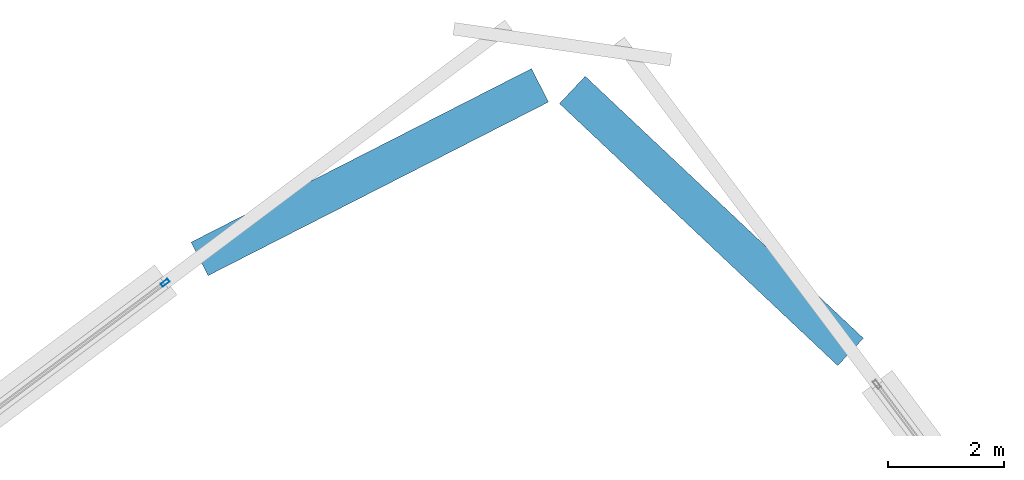
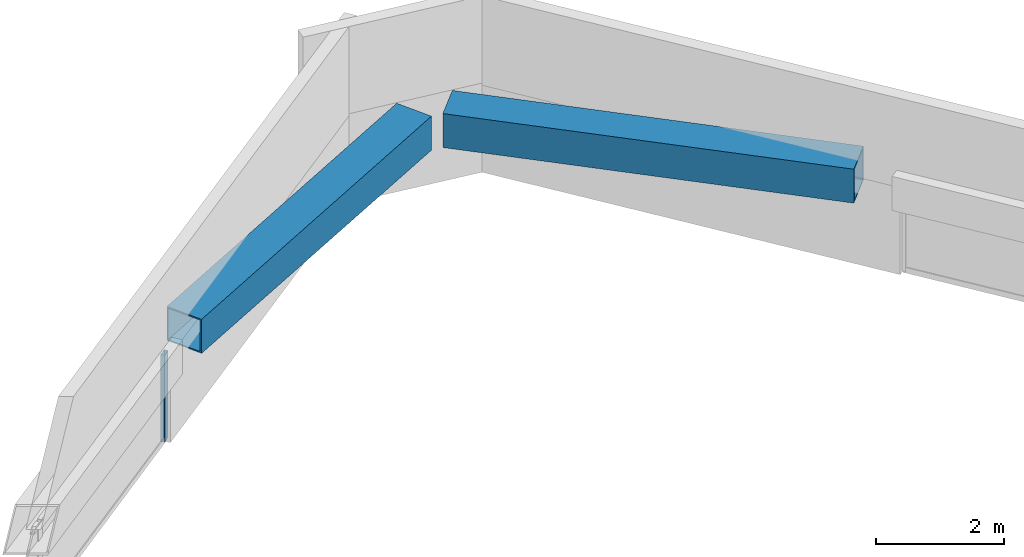
# One storey, part 23 of 31: 2 beams, 1 member, 1 element without a shape of its own.
"""IFC4 building model written with IfcOpenShell, lengths in metres."""

from ifc_helpers import new_model, si_unit, direction, frame, origin, origin_2d, place, context, subcontext, project, spatial, hollow_rectangle, extrude, material, material_profile, profile_set, type_object, element, aggregate, save


model = new_model("IFC4")

# Units and contexts
model_context = context("Model", 3, precision=1e-05, world=origin(), true_north=direction((0.0, 1.0)))
body_context = subcontext(model_context, "Body", "Model", "MODEL_VIEW")
ifc_project = project(units=[si_unit("LENGTHUNIT", "METRE"), si_unit("AREAUNIT", "SQUARE_METRE"), si_unit("VOLUMEUNIT", "CUBIC_METRE"), si_unit("PLANEANGLEUNIT", "RADIAN"), si_unit("MASSUNIT", "GRAM", prefix="KILO")], contexts=[model_context])

# Site, building, storey
site_placement = place(None, origin())
site = spatial("IfcSite", under=ifc_project, at=site_placement, CompositionType="ELEMENT")
building_placement = place(site_placement, origin())
building = spatial("IfcBuilding", under=site, at=building_placement, Name="Tashvorn Skyway Center", CompositionType="ELEMENT")
storey_placement = place(building_placement, frame((0.0, 0.0, 266.949951171875)))
storey = spatial("IfcBuildingStorey", under=building, at=storey_placement, Name="L72", CompositionType="ELEMENT", Elevation=266.949951171875)

# Beams
ifc_material_1 = material(Name="Steel ASTM A572 Grade 50", Category="steel")
ifc_material_profile_1 = material_profile(ifc_material_1, hollow_rectangle(XDim=0.64990234375, YDim=0.64990234375, WallThickness=0.02490234375, at=origin_2d()), Name="BOX650x650x25")
ifc_profile_set_1 = profile_set([ifc_material_profile_1], Name="Steel ASTM A572 Grade 50")
beam_type = type_object("IfcBeamType", Name="BM-BEAM-BOX650x650x25", PredefinedType="BEAM", material=ifc_profile_set_1)
for number, where, z_axis, x_axis, name in (
    (1, (121.5888671875, 44.866455078125, 3.08349609375), (-0.727983344677, 0.685594814649, 0.0), (-0.685594814649, -0.727983344677, 0.0), "CROWN FRAME Tower 2 Upper-Tier Ring Beam 06"),
    (2, (116.212646484375, 49.483154296875, 3.08349609375), (-0.890849939668, -0.454297683235, 0.0), (0.454297683235, -0.890849939668, 0.0), "CROWN FRAME Tower 2 Upper-Tier Ring Beam 07"),
):
    element("IfcBeam", number, at=place(storey_placement, frame(where, z_axis=z_axis, x_axis=x_axis)), inside=storey, type_object=beam_type, Name=name, PredefinedType="BEAM", context=body_context, shape_type="SweptSolid", body=[
        extrude(hollow_rectangle(XDim=0.64990234375, YDim=0.64990234375, WallThickness=0.02490234375, at=origin_2d()), origin(), (0.0, 0.0, 1.0), 6.61767578125),
    ])

# Curtain wall, member
ifc_material_2 = material(Name="Thermally broken bronze-anodized aluminium 6063-T6", Category="aluminium")
curtain_wall_type = type_object("IfcCurtainWallType", Name="CW-CW-SKY", PredefinedType="NOTDEFINED", material=ifc_material_2)
curtain_wall_placement = place(storey_placement, origin())
curtain_wall = element("IfcCurtainWall", 3, at=curtain_wall_placement, inside=storey, type_object=curtain_wall_type, Name="CROWN Lantern Fritted Curtain Wall T2 N-4", PredefinedType="NOTDEFINED")
ifc_material_profile_2 = material_profile(ifc_material_2, hollow_rectangle(XDim=0.06494140625, YDim=0.14990234375, WallThickness=0.00390625, at=origin_2d()), Name="ALU-MULL-65x150")
ifc_profile_set_2 = profile_set([ifc_material_profile_2], Name="Thermally broken bronze-anodized aluminium 6063-T6")
member_type = type_object("IfcMemberType", Name="CWM-CW-SKY", PredefinedType="MULLION", material=ifc_profile_set_2)
member_placement = place(storey_placement, frame((109.721923828125, 46.06640625, 1.445068359375), z_axis=(0.0, 0.0, 1.0), x_axis=(-0.600000000002, 0.799999999998, 0.0)))
member = element("IfcMember", 4, at=member_placement, type_object=member_type, Name="CW-SKY mullion 3", PredefinedType="MULLION", context=body_context, shape_type="SweptSolid", body=[
    extrude(hollow_rectangle(XDim=0.06494140625, YDim=0.14990234375, WallThickness=0.00390625, at=origin_2d()), origin(), (0.0, 0.0, 1.0), 1.6650390625),
])
aggregate(curtain_wall, [member])

save(model, "model.ifc")
